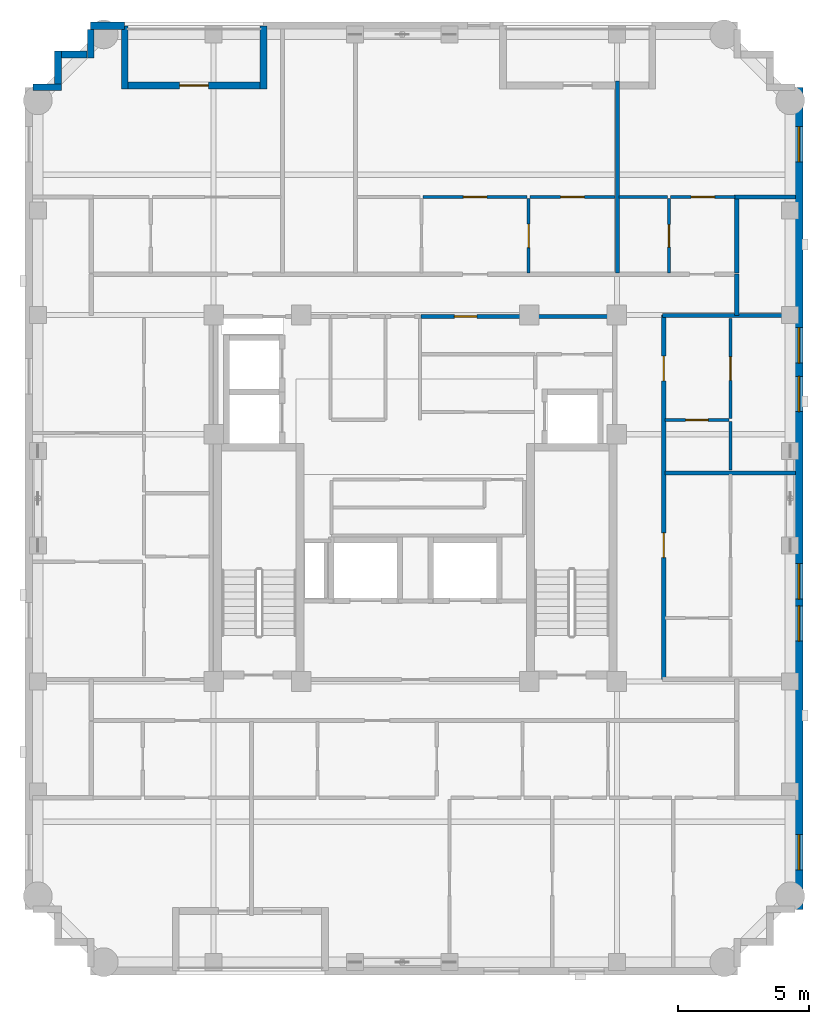
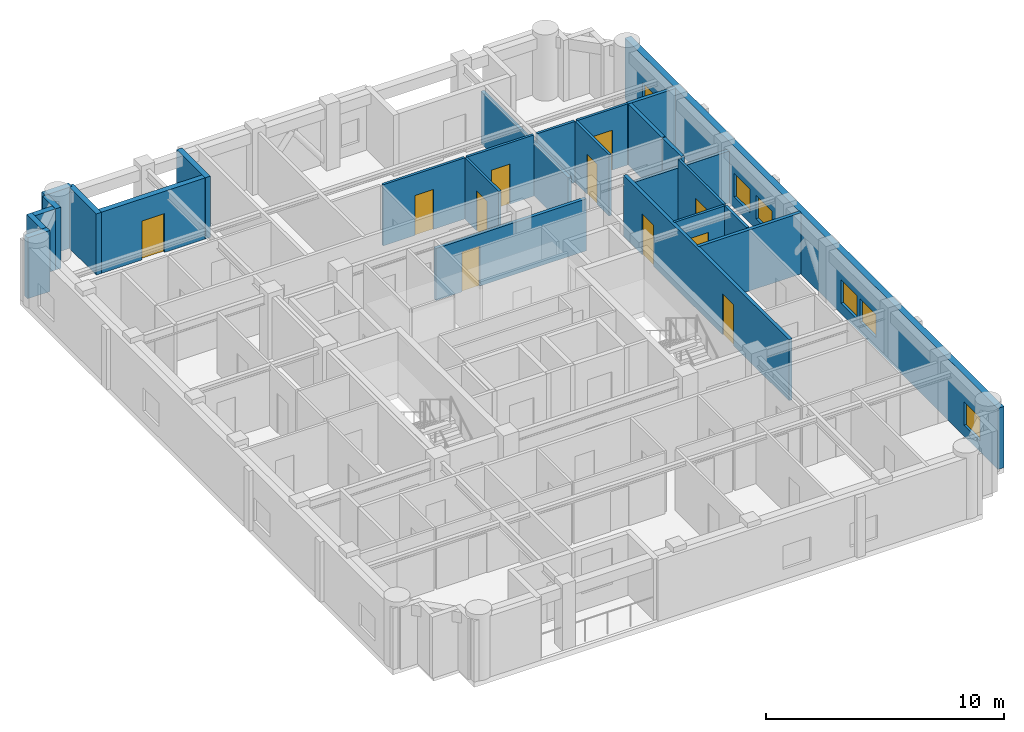
# One storey, part 6 of 10: 26 walls, 11 doors, 6 windows, 17 openings.
"""IFC4 building model written with IfcOpenShell, lengths in metres."""

from ifc_helpers import new_model, si_unit, derived_unit, direction, frame, frame_2d, origin, place, context, subcontext, project, spatial, rectangle, extrude, material, layer, layer_set, type_object, element, fill, save


model = new_model("IFC4")

# Units and contexts
model_context = context("Model", 3, precision=1e-05, world=origin(), true_north=direction((0.0, 1.0)))
body_context = subcontext(model_context, "Body", "Model", "MODEL_VIEW")
ifc_project = project(units=[si_unit("LENGTHUNIT", "METRE"), si_unit("AREAUNIT", "SQUARE_METRE"), si_unit("VOLUMEUNIT", "CUBIC_METRE"), si_unit("PLANEANGLEUNIT", "RADIAN"), si_unit("MASSUNIT", "GRAM", prefix="KILO"), derived_unit("THERMALTRANSMITTANCEUNIT", [(si_unit("MASSUNIT", "GRAM", prefix="KILO"), 1), (si_unit("TIMEUNIT", "SECOND"), -3), (si_unit("THERMODYNAMICTEMPERATUREUNIT", "KELVIN"), -1)])], contexts=[model_context])

# Site, building, storey
site_placement = place(None, origin())
site = spatial("IfcSite", under=ifc_project, at=site_placement, CompositionType="ELEMENT")
building_placement = place(site_placement, origin())
building = spatial("IfcBuilding", under=site, at=building_placement, Name="Korrvale Station Residences", CompositionType="ELEMENT")
storey_placement = place(building_placement, frame((0.0, 0.0, 220.699951171875)))
storey = spatial("IfcBuildingStorey", under=building, at=storey_placement, Name="L64", CompositionType="ELEMENT", Elevation=220.699951171875)

# Wall
ifc_material_1 = material(Name="Precast concrete C45/55", Category="concrete")
ifc_layer_1 = layer(ifc_material_1, 0.260009765625, Name="Precast concrete C45/55")
ifc_layer_set_1 = layer_set([ifc_layer_1], Name="Precast concrete C45/55")
wall_type_1 = type_object("IfcWallType", Name="WAL-EXT-LOG260", PredefinedType="SOLIDWALL", material=ifc_layer_set_1)
wall_1_placement = place(storey_placement, frame((14.39990234375, 40.0400390625, 0.0), z_axis=(0.0, 0.0, 1.0), x_axis=(0.0, -1.0, 0.0)))
element("IfcWall", 1, at=wall_1_placement, inside=storey, type_object=wall_type_1, Name="L64 Recessed Loggia Wall BAL-L64-N2-L", PredefinedType="SOLIDWALL", context=body_context, shape_type="SweptSolid", body=[
    extrude(rectangle(XDim=2.400146484375, YDim=0.260009765625, at=frame_2d((1.2001953125, 0.0))), origin(), (0.0, 0.0, 1.0), 3.14013671875),
])

# Wall, opening, door
wall_2_placement = place(storey_placement, frame((14.533935546875, 37.77001953125, 0.0), z_axis=(0.0, 0.0, 1.0), x_axis=(1.0, 0.0, 0.0)))
wall_2 = element("IfcWall", 2, at=wall_2_placement, inside=storey, type_object=wall_type_1, Name="L64 Recessed Loggia Wall BAL-L64-N2-B", PredefinedType="SOLIDWALL", context=body_context, shape_type="SweptSolid", body=[
    extrude(rectangle(XDim=5.031982421875, YDim=0.260009765625, at=frame_2d((2.51611328125, 0.0))), origin(), (0.0, 0.0, 1.0), 3.14013671875),
])
opening_1_placement = place(wall_2_placement, frame((1.966064453125, 0.0, 0.0)))
opening_1 = element("IfcOpeningElement", 3, at=opening_1_placement, cuts=wall_2, Name="Opening BD-01", PredefinedType="OPENING", context=body_context, shape_type="SweptSolid", body=[
    extrude(rectangle(XDim=1.10009765625, YDim=2.0, at=frame_2d((0.550048828125, 1.0))), frame((0.0, 0.14013671875, 0.0), z_axis=(0.0, -1.0, 0.0), x_axis=(1.0, 0.0, 0.0)), (0.0, 0.0, 1.0), 0.280029296875),
])
ifc_material_2 = material(Name="Exterior thermally broken aluminium glazed balcony door", Category="aluminium")
door_type_1 = type_object("IfcDoorType", Name="DR-EXT-BAL", OperationType="NOTDEFINED", PredefinedType="DOOR", material=ifc_material_2)
door_1_placement = place(opening_1_placement, origin())
door_1 = element("IfcDoor", 4, at=door_1_placement, inside=storey, type_object=door_type_1, Name="L64 Loggia Balcony Door BAL-L64-N2", OperationType="SINGLE_SWING_LEFT", OverallHeight=2.0, OverallWidth=1.10009765625, PredefinedType="DOOR", context=body_context, shape_type="SweptSolid", body=[
    extrude(rectangle(XDim=1.10009765625, YDim=2.0, at=frame_2d((0.550048828125, 1.0))), frame((0.0, 0.02490234375, 0.0), z_axis=(0.0, -1.0, 0.0), x_axis=(1.0, 0.0, 0.0)), (0.0, 0.0, 1.0), 0.050048828125),
])
fill(opening_1, door_1)

# Walls
wall_3_placement = place(storey_placement, frame((19.699951171875, 37.639892578125, 0.0), z_axis=(0.0, 0.0, 1.0), x_axis=(0.0, 1.0, 0.0)))
element("IfcWall", 5, at=wall_3_placement, inside=storey, type_object=wall_type_1, Name="L64 Recessed Loggia Wall BAL-L64-N2-R", PredefinedType="SOLIDWALL", context=body_context, shape_type="SweptSolid", body=[
    extrude(rectangle(XDim=2.400146484375, YDim=0.260009765625, at=frame_2d((1.2001953125, 0.0))), origin(), (0.0, 0.0, 1.0), 3.14013671875),
])
wall_4_placement = place(storey_placement, frame((10.902099609375, 37.699951171875, 0.0), z_axis=(0.0, 0.0, 1.0), x_axis=(1.0, 0.0, 0.0)))
element("IfcWall", 6, at=wall_4_placement, inside=storey, type_object=wall_type_1, Name="L64 Serrated Corner Precast Step NW-1", PredefinedType="SOLIDWALL", context=body_context, shape_type="SweptSolid", body=[
    extrude(rectangle(XDim=1.077880859375, YDim=0.260009765625, at=frame_2d((0.5390625, 0.0))), origin(), (0.0, 0.0, 1.0), 3.14013671875),
])
wall_5_placement = place(storey_placement, frame((11.85009765625, 37.83203125, 0.0), z_axis=(0.0, 0.0, 1.0), x_axis=(0.0, 1.0, 0.0)))
element("IfcWall", 7, at=wall_5_placement, inside=storey, type_object=wall_type_1, Name="L64 Serrated Corner Precast Step NW-2", PredefinedType="SOLIDWALL", context=body_context, shape_type="SweptSolid", body=[
    extrude(rectangle(XDim=1.248046875, YDim=0.260009765625, at=frame_2d((0.6240234375, 0.0))), origin(), (0.0, 0.0, 1.0), 3.14013671875),
])
wall_6_placement = place(storey_placement, frame((11.98193359375, 38.949951171875, 0.0), z_axis=(0.0, 0.0, 1.0), x_axis=(1.0, 0.0, 0.0)))
element("IfcWall", 8, at=wall_6_placement, inside=storey, type_object=wall_type_1, Name="L64 Serrated Corner Precast Step NW-3", PredefinedType="SOLIDWALL", context=body_context, shape_type="SweptSolid", body=[
    extrude(rectangle(XDim=0.986083984375, YDim=0.260009765625, at=frame_2d((0.4931640625, 0.0))), origin(), (0.0, 0.0, 1.0), 3.14013671875),
])
wall_7_placement = place(storey_placement, frame((13.10009765625, 38.820068359375, 0.0), z_axis=(0.0, 0.0, 1.0), x_axis=(0.0, 1.0, 0.0)))
element("IfcWall", 9, at=wall_7_placement, inside=storey, type_object=wall_type_1, Name="L64 Serrated Corner Precast Step NW-4", PredefinedType="SOLIDWALL", context=body_context, shape_type="SweptSolid", body=[
    extrude(rectangle(XDim=1.077880859375, YDim=0.260009765625, at=frame_2d((0.5390625, 0.0))), origin(), (0.0, 0.0, 1.0), 3.14013671875),
])
ifc_layer_2 = layer(ifc_material_1, 0.300048828125, Name="Precast concrete C45/55")
ifc_layer_set_2 = layer_set([ifc_layer_2], Name="Precast concrete C45/55")
wall_type_2 = type_object("IfcWallType", Name="WAL-EXT-PC300", PredefinedType="SOLIDWALL", material=ifc_layer_set_2)
wall_8_placement = place(storey_placement, frame((13.10009765625, 40.050048828125, 0.0), z_axis=(0.0, 0.0, 1.0), x_axis=(1.0, 0.0, 0.0)))
element("IfcWall", 10, at=wall_8_placement, inside=storey, type_object=wall_type_2, Name="L64 North Exterior Precast Wall 1", PredefinedType="SOLIDWALL", context=body_context, shape_type="SweptSolid", body=[
    extrude(rectangle(XDim=1.2998046875, YDim=0.300048828125, at=frame_2d((0.64990234375, 0.0))), origin(), (0.0, 0.0, 1.0), 3.14013671875),
])

# Wall, openings, windows
wall_9_placement = place(storey_placement, frame((40.14990234375, 37.699951171875, 0.0), z_axis=(0.0, 0.0, 1.0), x_axis=(0.0, -1.0, 0.0)))
wall_9 = element("IfcWall", 11, at=wall_9_placement, inside=storey, type_object=wall_type_2, Name="L64 East Exterior Precast Wall 1", PredefinedType="SOLIDWALL", context=body_context, shape_type="SweptSolid", body=[
    extrude(rectangle(XDim=31.39990234375, YDim=0.300048828125, at=frame_2d((15.699951171875, 0.0))), origin(), (0.0, 0.0, 1.0), 3.14013671875),
])
opening_2_placement = place(wall_9_placement, frame((28.5458984375, 0.0, 0.550048828125)))
opening_2 = element("IfcOpeningElement", 12, at=opening_2_placement, cuts=wall_9, Name="Opening W-10", PredefinedType="OPENING", context=body_context, shape_type="SweptSolid", body=[
    extrude(rectangle(XDim=1.35009765625, YDim=1.199951171875, at=frame_2d((0.675048828125, 0.60009765625))), frame((0.0, 0.16015625, 0.0), z_axis=(0.0, -1.0, 0.0), x_axis=(1.0, 0.0, 0.0)), (0.0, 0.0, 1.0), 0.320068359375),
])
opening_3_placement = place(wall_9_placement, frame((1.50390625, 0.0, 0.550048828125)))
opening_3 = element("IfcOpeningElement", 13, at=opening_3_placement, cuts=wall_9, Name="Opening W-10", PredefinedType="OPENING", context=body_context, shape_type="SweptSolid", body=[
    extrude(rectangle(XDim=1.35009765625, YDim=1.199951171875, at=frame_2d((0.675048828125, 0.60009765625))), frame((0.0, 0.16015625, 0.0), z_axis=(0.0, -1.0, 0.0), x_axis=(1.0, 0.0, 0.0)), (0.0, 0.0, 1.0), 0.320068359375),
])
opening_4_placement = place(wall_9_placement, frame((18.199951171875, 0.0, 0.550048828125)))
opening_4 = element("IfcOpeningElement", 14, at=opening_4_placement, cuts=wall_9, Name="Opening W-10", PredefinedType="OPENING", context=body_context, shape_type="SweptSolid", body=[
    extrude(rectangle(XDim=1.35009765625, YDim=1.199951171875, at=frame_2d((0.675048828125, 0.60009765625))), frame((0.0, 0.16015625, 0.0), z_axis=(0.0, -1.0, 0.0), x_axis=(1.0, 0.0, 0.0)), (0.0, 0.0, 1.0), 0.320068359375),
])
opening_5_placement = place(wall_9_placement, frame((19.81005859375, 0.0, 0.550048828125)))
opening_5 = element("IfcOpeningElement", 15, at=opening_5_placement, cuts=wall_9, Name="Opening W-10", PredefinedType="OPENING", context=body_context, shape_type="SweptSolid", body=[
    extrude(rectangle(XDim=1.35009765625, YDim=1.199951171875, at=frame_2d((0.675048828125, 0.60009765625))), frame((0.0, 0.16015625, 0.0), z_axis=(0.0, -1.0, 0.0), x_axis=(1.0, 0.0, 0.0)), (0.0, 0.0, 1.0), 0.320068359375),
])
opening_6_placement = place(wall_9_placement, frame((11.04296875, 0.0, 0.550048828125)))
opening_6 = element("IfcOpeningElement", 16, at=opening_6_placement, cuts=wall_9, Name="Opening W-10", PredefinedType="OPENING", context=body_context, shape_type="SweptSolid", body=[
    extrude(rectangle(XDim=1.35009765625, YDim=1.199951171875, at=frame_2d((0.675048828125, 0.60009765625))), frame((0.0, 0.16015625, 0.0), z_axis=(0.0, -1.0, 0.0), x_axis=(1.0, 0.0, 0.0)), (0.0, 0.0, 1.0), 0.320068359375),
])
opening_7_placement = place(wall_9_placement, frame((9.18505859375, 0.0, 0.550048828125)))
opening_7 = element("IfcOpeningElement", 17, at=opening_7_placement, cuts=wall_9, Name="Opening W-10", PredefinedType="OPENING", context=body_context, shape_type="SweptSolid", body=[
    extrude(rectangle(XDim=1.35009765625, YDim=1.199951171875, at=frame_2d((0.675048828125, 0.60009765625))), frame((0.0, 0.16015625, 0.0), z_axis=(0.0, -1.0, 0.0), x_axis=(1.0, 0.0, 0.0)), (0.0, 0.0, 1.0), 0.320068359375),
])
ifc_material_3 = material(Name="Thermally broken aluminium frame with triple low-e glazing", Category="aluminium")
window_type = type_object("IfcWindowType", Name="WIN-W10", PartitioningType="SINGLE_PANEL", PredefinedType="WINDOW", material=ifc_material_3)
window_1_placement = place(opening_2_placement, origin())
window_1 = element("IfcWindow", 18, at=window_1_placement, inside=storey, type_object=window_type, Name="L64 Punched Window 05", OverallHeight=1.199951171875, OverallWidth=1.35009765625, PartitioningType="SINGLE_PANEL", PredefinedType="WINDOW", context=body_context, shape_type="SweptSolid", body=[
    extrude(rectangle(XDim=1.35009765625, YDim=1.199951171875, at=frame_2d((0.675048828125, 0.60009765625))), frame((0.0, 0.030029296875, 0.0), z_axis=(0.0, -1.0, 0.0), x_axis=(1.0, 0.0, 0.0)), (0.0, 0.0, 1.0), 0.06005859375),
])
fill(opening_2, window_1)
window_2_placement = place(opening_3_placement, origin())
window_2 = element("IfcWindow", 19, at=window_2_placement, inside=storey, type_object=window_type, Name="L64 Punched Window 08", OverallHeight=1.199951171875, OverallWidth=1.35009765625, PartitioningType="SINGLE_PANEL", PredefinedType="WINDOW", context=body_context, shape_type="SweptSolid", body=[
    extrude(rectangle(XDim=1.35009765625, YDim=1.199951171875, at=frame_2d((0.675048828125, 0.60009765625))), frame((0.0, 0.030029296875, 0.0), z_axis=(0.0, -1.0, 0.0), x_axis=(1.0, 0.0, 0.0)), (0.0, 0.0, 1.0), 0.06005859375),
])
fill(opening_3, window_2)
window_3_placement = place(opening_4_placement, origin())
window_3 = element("IfcWindow", 20, at=window_3_placement, inside=storey, type_object=window_type, Name="L64 Punched Window 11", OverallHeight=1.199951171875, OverallWidth=1.35009765625, PartitioningType="SINGLE_PANEL", PredefinedType="WINDOW", context=body_context, shape_type="SweptSolid", body=[
    extrude(rectangle(XDim=1.35009765625, YDim=1.199951171875, at=frame_2d((0.675048828125, 0.60009765625))), frame((0.0, 0.030029296875, 0.0), z_axis=(0.0, -1.0, 0.0), x_axis=(1.0, 0.0, 0.0)), (0.0, 0.0, 1.0), 0.06005859375),
])
fill(opening_4, window_3)
window_4_placement = place(opening_5_placement, origin())
window_4 = element("IfcWindow", 21, at=window_4_placement, inside=storey, type_object=window_type, Name="L64 Punched Window 12", OverallHeight=1.199951171875, OverallWidth=1.35009765625, PartitioningType="SINGLE_PANEL", PredefinedType="WINDOW", context=body_context, shape_type="SweptSolid", body=[
    extrude(rectangle(XDim=1.35009765625, YDim=1.199951171875, at=frame_2d((0.675048828125, 0.60009765625))), frame((0.0, 0.030029296875, 0.0), z_axis=(0.0, -1.0, 0.0), x_axis=(1.0, 0.0, 0.0)), (0.0, 0.0, 1.0), 0.06005859375),
])
fill(opening_5, window_4)
window_5_placement = place(opening_6_placement, origin())
window_5 = element("IfcWindow", 22, at=window_5_placement, inside=storey, type_object=window_type, Name="L64 Punched Window 13", OverallHeight=1.199951171875, OverallWidth=1.35009765625, PartitioningType="SINGLE_PANEL", PredefinedType="WINDOW", context=body_context, shape_type="SweptSolid", body=[
    extrude(rectangle(XDim=1.35009765625, YDim=1.199951171875, at=frame_2d((0.675048828125, 0.60009765625))), frame((0.0, 0.030029296875, 0.0), z_axis=(0.0, -1.0, 0.0), x_axis=(1.0, 0.0, 0.0)), (0.0, 0.0, 1.0), 0.06005859375),
])
fill(opening_6, window_5)
window_6_placement = place(opening_7_placement, origin())
window_6 = element("IfcWindow", 23, at=window_6_placement, inside=storey, type_object=window_type, Name="L64 Punched Window 14", OverallHeight=1.199951171875, OverallWidth=1.35009765625, PartitioningType="SINGLE_PANEL", PredefinedType="WINDOW", context=body_context, shape_type="SweptSolid", body=[
    extrude(rectangle(XDim=1.35009765625, YDim=1.199951171875, at=frame_2d((0.675048828125, 0.60009765625))), frame((0.0, 0.030029296875, 0.0), z_axis=(0.0, -1.0, 0.0), x_axis=(1.0, 0.0, 0.0)), (0.0, 0.0, 1.0), 0.06005859375),
])
fill(opening_7, window_6)

# Wall, opening, door
ifc_material_4 = material(Name="Acoustic steel-stud gypsum board partition", Category="steel")
ifc_layer_3 = layer(ifc_material_4, 0.1201171875, Name="Acoustic steel-stud gypsum board partition")
ifc_layer_set_3 = layer_set([ifc_layer_3], Name="Acoustic steel-stud gypsum board partition")
wall_type_3 = type_object("IfcWallType", Name="WAL-PART-125", PredefinedType="PARTITIONING", material=ifc_layer_set_3)
wall_10_placement = place(storey_placement, frame((29.830078125, 30.60009765625, 0.0), z_axis=(0.0, 0.0, 1.0), x_axis=(0.0, 1.0, 0.0)))
wall_10 = element("IfcWall", 24, at=wall_10_placement, inside=storey, type_object=wall_type_3, Name="L64 Suite Partition U04-V12", PredefinedType="PARTITIONING", context=body_context, shape_type="SweptSolid", body=[
    extrude(rectangle(XDim=2.849853515625, YDim=0.1201171875, at=frame_2d((1.4248046875, 0.0))), origin(), (0.0, 0.0, 1.0), 3.14013671875),
])
opening_8_placement = place(wall_10_placement, frame((0.97509765625, 0.0, 0.0)))
opening_8 = element("IfcOpeningElement", 25, at=opening_8_placement, cuts=wall_10, Name="Opening DI-900", PredefinedType="OPENING", context=body_context, shape_type="SweptSolid", body=[
    extrude(rectangle(XDim=0.89990234375, YDim=2.050048828125, at=frame_2d((0.449951171875, 1.02490234375))), frame((0.0, 0.070068359375, 0.0), z_axis=(0.0, -1.0, 0.0), x_axis=(1.0, 0.0, 0.0)), (0.0, 0.0, 1.0), 0.14013671875),
])
ifc_material_5 = material(Name="Painted solid-core timber interior room door", Category="wood")
door_type_2 = type_object("IfcDoorType", Name="DR-INT-900", OperationType="NOTDEFINED", PredefinedType="DOOR", material=ifc_material_5)
door_2_placement = place(opening_8_placement, origin())
door_2 = element("IfcDoor", 26, at=door_2_placement, inside=storey, type_object=door_type_2, Name="L64 Studio Apartment L64-U04 Kitchen Door", OperationType="SINGLE_SWING_RIGHT", OverallHeight=2.050048828125, OverallWidth=0.89990234375, PredefinedType="DOOR", context=body_context, shape_type="SweptSolid", body=[
    extrude(rectangle(XDim=0.89990234375, YDim=2.050048828125, at=frame_2d((0.449951171875, 1.02490234375))), frame((0.0, 0.02490234375, 0.0), z_axis=(0.0, -1.0, 0.0), x_axis=(1.0, 0.0, 0.0)), (0.0, 0.0, 1.0), 0.050048828125),
])
fill(opening_8, door_2)

wall_11_placement = place(storey_placement, frame((25.800048828125, 33.510009765625, 0.0), z_axis=(0.0, 0.0, 1.0), x_axis=(1.0, 0.0, 0.0)))
wall_11 = element("IfcWall", 27, at=wall_11_placement, inside=storey, type_object=wall_type_3, Name="L64 Suite Partition U04-H13", PredefinedType="PARTITIONING", context=body_context, shape_type="SweptSolid", body=[
    extrude(rectangle(XDim=3.969970703125, YDim=0.1201171875, at=frame_2d((1.98486328125, 0.0))), origin(), (0.0, 0.0, 1.0), 3.14013671875),
])
opening_9_placement = place(wall_11_placement, frame((1.534912109375, 0.0, 0.0)))
opening_9 = element("IfcOpeningElement", 28, at=opening_9_placement, cuts=wall_11, Name="Opening DI-900", PredefinedType="OPENING", context=body_context, shape_type="SweptSolid", body=[
    extrude(rectangle(XDim=0.89990234375, YDim=2.050048828125, at=frame_2d((0.449951171875, 1.02490234375))), frame((0.0, 0.070068359375, 0.0), z_axis=(0.0, -1.0, 0.0), x_axis=(1.0, 0.0, 0.0)), (0.0, 0.0, 1.0), 0.14013671875),
])
door_3_placement = place(opening_9_placement, origin())
door_3 = element("IfcDoor", 29, at=door_3_placement, inside=storey, type_object=door_type_2, Name="L64 Studio Apartment L64-U04 Kitchen Door", OperationType="SINGLE_SWING_LEFT", OverallHeight=2.050048828125, OverallWidth=0.89990234375, PredefinedType="DOOR", context=body_context, shape_type="SweptSolid", body=[
    extrude(rectangle(XDim=0.89990234375, YDim=2.050048828125, at=frame_2d((0.449951171875, 1.02490234375))), frame((0.0, 0.02490234375, 0.0), z_axis=(0.0, -1.0, 0.0), x_axis=(1.0, 0.0, 0.0)), (0.0, 0.0, 1.0), 0.050048828125),
])
fill(opening_9, door_3)

wall_12_placement = place(storey_placement, frame((29.889892578125, 33.510009765625, 0.0), z_axis=(0.0, 0.0, 1.0), x_axis=(1.0, 0.0, 0.0)))
wall_12 = element("IfcWall", 30, at=wall_12_placement, inside=storey, type_object=wall_type_3, Name="L64 Suite Partition U04-H23", PredefinedType="PARTITIONING", context=body_context, shape_type="SweptSolid", body=[
    extrude(rectangle(XDim=3.230224609375, YDim=0.1201171875, at=frame_2d((1.615234375, 0.0))), origin(), (0.0, 0.0, 1.0), 3.14013671875),
])
opening_10_placement = place(wall_12_placement, frame((1.1650390625, 0.0, 0.0)))
opening_10 = element("IfcOpeningElement", 31, at=opening_10_placement, cuts=wall_12, Name="Opening DI-900", PredefinedType="OPENING", context=body_context, shape_type="SweptSolid", body=[
    extrude(rectangle(XDim=0.89990234375, YDim=2.050048828125, at=frame_2d((0.449951171875, 1.02490234375))), frame((0.0, 0.070068359375, 0.0), z_axis=(0.0, -1.0, 0.0), x_axis=(1.0, 0.0, 0.0)), (0.0, 0.0, 1.0), 0.14013671875),
])
door_4_placement = place(opening_10_placement, origin())
door_4 = element("IfcDoor", 32, at=door_4_placement, inside=storey, type_object=door_type_2, Name="L64 Studio Apartment L64-U04 Home Study Room Door", OperationType="SINGLE_SWING_RIGHT", OverallHeight=2.050048828125, OverallWidth=0.89990234375, PredefinedType="DOOR", context=body_context, shape_type="SweptSolid", body=[
    extrude(rectangle(XDim=0.89990234375, YDim=2.050048828125, at=frame_2d((0.449951171875, 1.02490234375))), frame((0.0, 0.02490234375, 0.0), z_axis=(0.0, -1.0, 0.0), x_axis=(1.0, 0.0, 0.0)), (0.0, 0.0, 1.0), 0.050048828125),
])
fill(opening_10, door_4)

wall_13_placement = place(storey_placement, frame((35.18994140625, 30.60009765625, 0.0), z_axis=(0.0, 0.0, 1.0), x_axis=(0.0, 1.0, 0.0)))
wall_13 = element("IfcWall", 33, at=wall_13_placement, inside=storey, type_object=wall_type_3, Name="L64 Suite Partition U05-V01", PredefinedType="PARTITIONING", context=body_context, shape_type="SweptSolid", body=[
    extrude(rectangle(XDim=2.849853515625, YDim=0.1201171875, at=frame_2d((1.4248046875, 0.0))), origin(), (0.0, 0.0, 1.0), 3.14013671875),
])
opening_11_placement = place(wall_13_placement, frame((0.9951171875, 0.0, 0.0)))
opening_11 = element("IfcOpeningElement", 34, at=opening_11_placement, cuts=wall_13, Name="Opening DB-860", PredefinedType="OPENING", context=body_context, shape_type="SweptSolid", body=[
    extrude(rectangle(XDim=0.860107421875, YDim=2.050048828125, at=frame_2d((0.43017578125, 1.02490234375))), frame((0.0, 0.070068359375, 0.0), z_axis=(0.0, -1.0, 0.0), x_axis=(1.0, 0.0, 0.0)), (0.0, 0.0, 1.0), 0.14013671875),
])
ifc_material_6 = material(Name="Moisture-resistant solid-core bathroom door", Category="timber")
door_type_3 = type_object("IfcDoorType", Name="DR-BATH-860", OperationType="NOTDEFINED", PredefinedType="DOOR", material=ifc_material_6)
door_5_placement = place(opening_11_placement, origin())
door_5 = element("IfcDoor", 35, at=door_5_placement, inside=storey, type_object=door_type_3, Name="L64 Studio Apartment L64-U05 Bathroom Door", OperationType="SINGLE_SWING_LEFT", OverallHeight=2.050048828125, OverallWidth=0.860107421875, PredefinedType="DOOR", context=body_context, shape_type="SweptSolid", body=[
    extrude(rectangle(XDim=0.860107421875, YDim=2.050048828125, at=frame_2d((0.43017578125, 1.02490234375))), frame((0.0, 0.02490234375, 0.0), z_axis=(0.0, -1.0, 0.0), x_axis=(1.0, 0.0, 0.0)), (0.0, 0.0, 1.0), 0.050048828125),
])
fill(opening_11, door_5)

# Wall
wall_14_placement = place(storey_placement, frame((33.280029296875, 33.510009765625, 0.0), z_axis=(0.0, 0.0, 1.0), x_axis=(1.0, 0.0, 0.0)))
element("IfcWall", 36, at=wall_14_placement, inside=storey, type_object=wall_type_3, Name="L64 Suite Partition U05-H02", PredefinedType="PARTITIONING", context=body_context, shape_type="SweptSolid", body=[
    extrude(rectangle(XDim=1.849853515625, YDim=0.1201171875, at=frame_2d((0.9248046875, 0.0))), origin(), (0.0, 0.0, 1.0), 3.14013671875),
])

# Wall, opening, door
wall_15_placement = place(storey_placement, frame((35.25, 33.510009765625, 0.0), z_axis=(0.0, 0.0, 1.0), x_axis=(1.0, 0.0, 0.0)))
wall_15 = element("IfcWall", 37, at=wall_15_placement, inside=storey, type_object=wall_type_3, Name="L64 Suite Partition U05-H12", PredefinedType="PARTITIONING", context=body_context, shape_type="SweptSolid", body=[
    extrude(rectangle(XDim=2.469970703125, YDim=0.1201171875, at=frame_2d((1.23486328125, 0.0))), origin(), (0.0, 0.0, 1.0), 3.14013671875),
])
opening_12_placement = place(wall_15_placement, frame((0.784912109375, 0.0, 0.0)))
opening_12 = element("IfcOpeningElement", 38, at=opening_12_placement, cuts=wall_15, Name="Opening DI-900", PredefinedType="OPENING", context=body_context, shape_type="SweptSolid", body=[
    extrude(rectangle(XDim=0.89990234375, YDim=2.050048828125, at=frame_2d((0.449951171875, 1.02490234375))), frame((0.0, 0.070068359375, 0.0), z_axis=(0.0, -1.0, 0.0), x_axis=(1.0, 0.0, 0.0)), (0.0, 0.0, 1.0), 0.14013671875),
])
door_6_placement = place(opening_12_placement, origin())
door_6 = element("IfcDoor", 39, at=door_6_placement, inside=storey, type_object=door_type_2, Name="L64 Studio Apartment L64-U05 Kitchen Door", OperationType="SINGLE_SWING_RIGHT", OverallHeight=2.050048828125, OverallWidth=0.89990234375, PredefinedType="DOOR", context=body_context, shape_type="SweptSolid", body=[
    extrude(rectangle(XDim=0.89990234375, YDim=2.050048828125, at=frame_2d((0.449951171875, 1.02490234375))), frame((0.0, 0.02490234375, 0.0), z_axis=(0.0, -1.0, 0.0), x_axis=(1.0, 0.0, 0.0)), (0.0, 0.0, 1.0), 0.050048828125),
])
fill(opening_12, door_6)

wall_16_placement = place(storey_placement, frame((35.030029296875, 24.991943359375, 0.0), z_axis=(0.0, 0.0, 1.0), x_axis=(1.0, 0.0, 0.0)))
wall_16 = element("IfcWall", 40, at=wall_16_placement, inside=storey, type_object=wall_type_3, Name="L64 Suite Partition U08-H01", PredefinedType="PARTITIONING", context=body_context, shape_type="SweptSolid", body=[
    extrude(rectangle(XDim=2.449951171875, YDim=0.1201171875, at=frame_2d((1.22509765625, 0.0))), origin(), (0.0, 0.0, 1.0), 3.14013671875),
])
opening_13_placement = place(wall_16_placement, frame((0.794921875, 0.0, 0.0)))
opening_13 = element("IfcOpeningElement", 41, at=opening_13_placement, cuts=wall_16, Name="Opening DB-860", PredefinedType="OPENING", context=body_context, shape_type="SweptSolid", body=[
    extrude(rectangle(XDim=0.860107421875, YDim=2.050048828125, at=frame_2d((0.43017578125, 1.02490234375))), frame((0.0, 0.070068359375, 0.0), z_axis=(0.0, -1.0, 0.0), x_axis=(1.0, 0.0, 0.0)), (0.0, 0.0, 1.0), 0.14013671875),
])
door_7_placement = place(opening_13_placement, origin())
door_7 = element("IfcDoor", 42, at=door_7_placement, inside=storey, type_object=door_type_3, Name="L64 Studio Apartment L64-U08 Bathroom Door", OperationType="SINGLE_SWING_RIGHT", OverallHeight=2.050048828125, OverallWidth=0.860107421875, PredefinedType="DOOR", context=body_context, shape_type="SweptSolid", body=[
    extrude(rectangle(XDim=0.860107421875, YDim=2.050048828125, at=frame_2d((0.43017578125, 1.02490234375))), frame((0.0, 0.02490234375, 0.0), z_axis=(0.0, -1.0, 0.0), x_axis=(1.0, 0.0, 0.0)), (0.0, 0.0, 1.0), 0.050048828125),
])
fill(opening_13, door_7)

# Wall
wall_17_placement = place(storey_placement, frame((37.5400390625, 23.08203125, 0.0), z_axis=(0.0, 0.0, 1.0), x_axis=(0.0, 1.0, 0.0)))
element("IfcWall", 43, at=wall_17_placement, inside=storey, type_object=wall_type_3, Name="L64 Suite Partition U08-V02", PredefinedType="PARTITIONING", context=body_context, shape_type="SweptSolid", body=[
    extrude(rectangle(XDim=1.849853515625, YDim=0.1201171875, at=frame_2d((0.9248046875, 0.0))), origin(), (0.0, 0.0, 1.0), 3.14013671875),
])

# Wall, opening, door
wall_18_placement = place(storey_placement, frame((37.5400390625, 25.052001953125, 0.0), z_axis=(0.0, 0.0, 1.0), x_axis=(0.0, 1.0, 0.0)))
wall_18 = element("IfcWall", 44, at=wall_18_placement, inside=storey, type_object=wall_type_3, Name="L64 Suite Partition U08-V12", PredefinedType="PARTITIONING", context=body_context, shape_type="SweptSolid", body=[
    extrude(rectangle(XDim=3.80810546875, YDim=0.1201171875, at=frame_2d((1.904052734375, 0.0))), origin(), (0.0, 0.0, 1.0), 3.14013671875),
])
opening_14_placement = place(wall_18_placement, frame((1.4541015625, 0.0, 0.0)))
opening_14 = element("IfcOpeningElement", 45, at=opening_14_placement, cuts=wall_18, Name="Opening DI-900", PredefinedType="OPENING", context=body_context, shape_type="SweptSolid", body=[
    extrude(rectangle(XDim=0.89990234375, YDim=2.050048828125, at=frame_2d((0.449951171875, 1.02490234375))), frame((0.0, 0.070068359375, 0.0), z_axis=(0.0, -1.0, 0.0), x_axis=(1.0, 0.0, 0.0)), (0.0, 0.0, 1.0), 0.14013671875),
])
door_8_placement = place(opening_14_placement, origin())
door_8 = element("IfcDoor", 46, at=door_8_placement, inside=storey, type_object=door_type_2, Name="L64 Studio Apartment L64-U08 Kitchen Door", OperationType="SINGLE_SWING_LEFT", OverallHeight=2.050048828125, OverallWidth=0.89990234375, PredefinedType="DOOR", context=body_context, shape_type="SweptSolid", body=[
    extrude(rectangle(XDim=0.89990234375, YDim=2.050048828125, at=frame_2d((0.449951171875, 1.02490234375))), frame((0.0, 0.02490234375, 0.0), z_axis=(0.0, -1.0, 0.0), x_axis=(1.0, 0.0, 0.0)), (0.0, 0.0, 1.0), 0.050048828125),
])
fill(opening_14, door_8)

ifc_material_7 = material(Name="Fire-rated twin-stud gypsum and mineral wool shaftwall assembly", Category="gypsum")
ifc_layer_4 = layer(ifc_material_7, 0.159912109375, Name="Fire-rated twin-stud gypsum and mineral wool shaftwall assembly")
ifc_layer_set_4 = layer_set([ifc_layer_4], Name="Fire-rated twin-stud gypsum and mineral wool shaftwall assembly")
wall_type_4 = type_object("IfcWallType", Name="WAL-PART-200", PredefinedType="PARTITIONING", material=ifc_layer_set_4)
wall_19_placement = place(storey_placement, frame((25.719970703125, 28.949951171875, 0.0), z_axis=(0.0, 0.0, 1.0), x_axis=(1.0, 0.0, 0.0)))
wall_19 = element("IfcWall", 47, at=wall_19_placement, inside=storey, type_object=wall_type_4, Name="L64 Core Partition CW-FPLE-N", PredefinedType="PARTITIONING", context=body_context, shape_type="SweptSolid", body=[
    extrude(rectangle(XDim=7.320068359375, YDim=0.159912109375, at=frame_2d((3.66015625, 0.0))), origin(), (0.0, 0.0, 1.0), 2.66796875),
])
opening_15_placement = place(wall_19_placement, frame((1.27001953125, 0.0, 0.0)))
opening_15 = element("IfcOpeningElement", 48, at=opening_15_placement, cuts=wall_19, Name="Opening DB-860", PredefinedType="OPENING", context=body_context, shape_type="SweptSolid", body=[
    extrude(rectangle(XDim=0.860107421875, YDim=2.050048828125, at=frame_2d((0.43017578125, 1.02490234375))), frame((0.0, 0.08984375, 0.0), z_axis=(0.0, -1.0, 0.0), x_axis=(1.0, 0.0, 0.0)), (0.0, 0.0, 1.0), 0.179931640625),
])
door_9_placement = place(opening_15_placement, origin())
door_9 = element("IfcDoor", 49, at=door_9_placement, inside=storey, type_object=door_type_3, Name="L64 Luggage Pantry Door", OperationType="SINGLE_SWING_RIGHT", OverallHeight=2.050048828125, OverallWidth=0.860107421875, PredefinedType="DOOR", context=body_context, shape_type="SweptSolid", body=[
    extrude(rectangle(XDim=0.860107421875, YDim=2.050048828125, at=frame_2d((0.43017578125, 1.02490234375))), frame((0.0, 0.02490234375, 0.0), z_axis=(0.0, -1.0, 0.0), x_axis=(1.0, 0.0, 0.0)), (0.0, 0.0, 1.0), 0.050048828125),
])
fill(opening_15, door_9)

# Walls
wall_20_placement = place(storey_placement, frame((37.780029296875, 28.97998046875, 0.0), z_axis=(0.0, 0.0, 1.0), x_axis=(0.0, 1.0, 0.0)))
element("IfcWall", 50, at=wall_20_placement, inside=storey, type_object=wall_type_4, Name="L64 Corridor North East Cap", PredefinedType="PARTITIONING", context=body_context, shape_type="SweptSolid", body=[
    extrude(rectangle(XDim=1.580078125, YDim=0.159912109375, at=frame_2d((0.7900390625, 0.0))), origin(), (0.0, 0.0, 1.0), 3.14013671875),
])
wall_21_placement = place(storey_placement, frame((34.949951171875, 28.97998046875, 0.0), z_axis=(0.0, 0.0, 1.0), x_axis=(1.0, 0.0, 0.0)))
element("IfcWall", 51, at=wall_21_placement, inside=storey, type_object=wall_type_4, Name="L64 East Wing North Corridor Wall", PredefinedType="PARTITIONING", context=body_context, shape_type="SweptSolid", body=[
    extrude(rectangle(XDim=5.070068359375, YDim=0.159912109375, at=frame_2d((2.53515625, 0.0))), origin(), (0.0, 0.0, 1.0), 2.66796875),
])
wall_22_placement = place(storey_placement, frame((37.679931640625, 33.510009765625, 0.0), z_axis=(0.0, 0.0, 1.0), x_axis=(1.0, 0.0, 0.0)))
element("IfcWall", 52, at=wall_22_placement, inside=storey, type_object=wall_type_4, Name="L64 Corner Step Wall U05-R", PredefinedType="PARTITIONING", context=body_context, shape_type="SweptSolid", body=[
    extrude(rectangle(XDim=2.340087890625, YDim=0.159912109375, at=frame_2d((1.169921875, 0.0))), origin(), (0.0, 0.0, 1.0), 3.14013671875),
])
wall_23_placement = place(storey_placement, frame((37.780029296875, 30.60009765625, 0.0), z_axis=(0.0, 0.0, 1.0), x_axis=(0.0, 1.0, 0.0)))
element("IfcWall", 53, at=wall_23_placement, inside=storey, type_object=wall_type_4, Name="L64 Corner Step Cheek U05-R", PredefinedType="PARTITIONING", context=body_context, shape_type="SweptSolid", body=[
    extrude(rectangle(XDim=2.909912109375, YDim=0.159912109375, at=frame_2d((1.455078125, 0.0))), origin(), (0.0, 0.0, 1.0), 3.14013671875),
])
wall_24_placement = place(storey_placement, frame((33.219970703125, 30.60009765625, 0.0), z_axis=(0.0, 0.0, 1.0), x_axis=(0.0, 1.0, 0.0)))
element("IfcWall", 54, at=wall_24_placement, inside=storey, type_object=wall_type_4, Name="L64 Demising Wall U05-W", PredefinedType="PARTITIONING", context=body_context, shape_type="SweptSolid", body=[
    extrude(rectangle(XDim=7.33984375, YDim=0.159912109375, at=frame_2d((3.669921875, 0.0))), origin(), (0.0, 0.0, 1.0), 2.66796875),
])
wall_25_placement = place(storey_placement, frame((35.030029296875, 22.9619140625, 0.0), z_axis=(0.0, 0.0, 1.0), x_axis=(1.0, 0.0, 0.0)))
element("IfcWall", 55, at=wall_25_placement, inside=storey, type_object=wall_type_4, Name="L64 Demising Wall U07-N", PredefinedType="PARTITIONING", context=body_context, shape_type="SweptSolid", body=[
    extrude(rectangle(XDim=4.989990234375, YDim=0.159912109375, at=frame_2d((2.4951171875, 0.0))), origin(), (0.0, 0.0, 1.0), 3.14013671875),
])

# Wall, openings, doors
wall_26_placement = place(storey_placement, frame((34.989990234375, 15.070068359375, 0.0), z_axis=(0.0, 0.0, 1.0), x_axis=(0.0, 1.0, 0.0)))
wall_26 = element("IfcWall", 56, at=wall_26_placement, inside=storey, type_object=wall_type_4, Name="L64 Rated Corridor Wall E", PredefinedType="PARTITIONING", context=body_context, shape_type="SweptSolid", body=[
    extrude(rectangle(XDim=13.929931640625, YDim=0.159912109375, at=frame_2d((6.96484375, 0.0))), origin(), (0.0, 0.0, 1.0), 3.14013671875),
])
opening_16_placement = place(wall_26_placement, frame((4.660888671875, 0.0, 0.0)))
opening_16 = element("IfcOpeningElement", 57, at=opening_16_placement, cuts=wall_26, Name="Opening UD-950", PredefinedType="OPENING", context=body_context, shape_type="SweptSolid", body=[
    extrude(rectangle(XDim=0.949951171875, YDim=2.10009765625, at=frame_2d((0.47509765625, 1.050048828125))), frame((0.0, 0.08984375, 0.0), z_axis=(0.0, -1.0, 0.0), x_axis=(1.0, 0.0, 0.0)), (0.0, 0.0, 1.0), 0.179931640625),
])
opening_17_placement = place(wall_26_placement, frame((11.410888671875, 0.0, 0.0)))
opening_17 = element("IfcOpeningElement", 58, at=opening_17_placement, cuts=wall_26, Name="Opening UD-950", PredefinedType="OPENING", context=body_context, shape_type="SweptSolid", body=[
    extrude(rectangle(XDim=0.949951171875, YDim=2.10009765625, at=frame_2d((0.47509765625, 1.050048828125))), frame((0.0, 0.08984375, 0.0), z_axis=(0.0, -1.0, 0.0), x_axis=(1.0, 0.0, 0.0)), (0.0, 0.0, 1.0), 0.179931640625),
])
ifc_material_8 = material(Name="Solid-core acoustic oak apartment entrance door", Category="timber")
door_type_4 = type_object("IfcDoorType", Name="DR-UNIT-950", OperationType="NOTDEFINED", PredefinedType="DOOR", material=ifc_material_8)
door_10_placement = place(opening_16_placement, origin())
door_10 = element("IfcDoor", 59, at=door_10_placement, inside=storey, type_object=door_type_4, Name="L64 Apartment L64-U07 Entrance Door", OperationType="SINGLE_SWING_LEFT", OverallHeight=2.10009765625, OverallWidth=0.949951171875, PredefinedType="DOOR", context=body_context, shape_type="SweptSolid", body=[
    extrude(rectangle(XDim=0.949951171875, YDim=2.10009765625, at=frame_2d((0.47509765625, 1.050048828125))), frame((0.0, 0.02490234375, 0.0), z_axis=(0.0, -1.0, 0.0), x_axis=(1.0, 0.0, 0.0)), (0.0, 0.0, 1.0), 0.050048828125),
])
fill(opening_16, door_10)
door_11_placement = place(opening_17_placement, origin())
door_11 = element("IfcDoor", 60, at=door_11_placement, inside=storey, type_object=door_type_4, Name="L64 Apartment L64-U08 Entrance Door", OperationType="SINGLE_SWING_RIGHT", OverallHeight=2.10009765625, OverallWidth=0.949951171875, PredefinedType="DOOR", context=body_context, shape_type="SweptSolid", body=[
    extrude(rectangle(XDim=0.949951171875, YDim=2.10009765625, at=frame_2d((0.47509765625, 1.050048828125))), frame((0.0, 0.02490234375, 0.0), z_axis=(0.0, -1.0, 0.0), x_axis=(1.0, 0.0, 0.0)), (0.0, 0.0, 1.0), 0.050048828125),
])
fill(opening_17, door_11)

save(model, "model.ifc")
